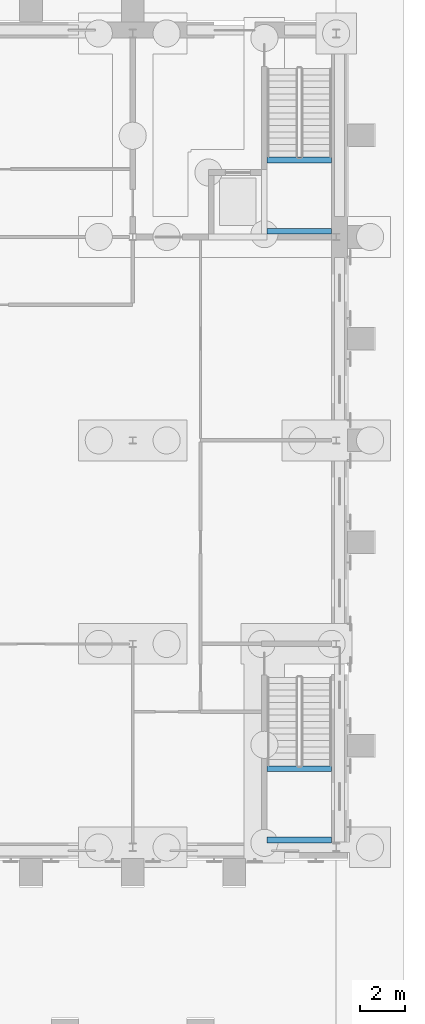
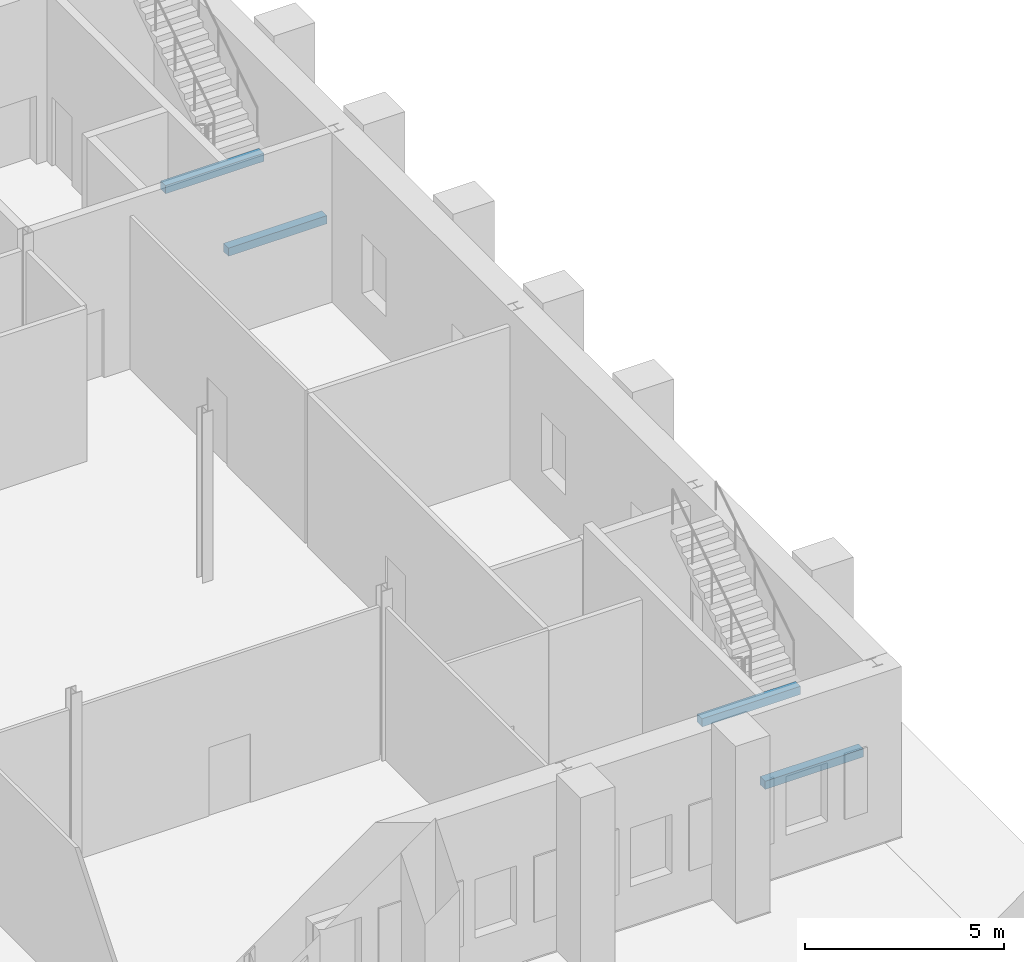
# One storey, part 66 of 168: 4 beams.
"""IFC4 building model written with IfcOpenShell, lengths in metres."""

from ifc_helpers import new_model, si_unit, direction, frame, origin, origin_2d, place, context, subcontext, project, spatial, rectangle, extrude, material, material_profile, profile_set, type_object, element, save


model = new_model("IFC4")

# Units and contexts
model_context = context("Model", 3, precision=1e-05, world=origin(), true_north=direction((0.0, 1.0)))
body_context = subcontext(model_context, "Body", "Model", "MODEL_VIEW")
ifc_project = project(units=[si_unit("LENGTHUNIT", "METRE"), si_unit("AREAUNIT", "SQUARE_METRE"), si_unit("VOLUMEUNIT", "CUBIC_METRE"), si_unit("PLANEANGLEUNIT", "RADIAN"), si_unit("MASSUNIT", "GRAM", prefix="KILO")], contexts=[model_context])

# Site, building, storey
site_placement = place(None, origin())
site = spatial("IfcSite", under=ifc_project, at=site_placement, CompositionType="ELEMENT")
building_placement = place(site_placement, origin())
building = spatial("IfcBuilding", under=site, at=building_placement, Name="Golden Quay Civic Hall", CompositionType="ELEMENT")
storey_placement = place(building_placement, origin())
storey = spatial("IfcBuildingStorey", under=building, at=storey_placement, Name="L00", CompositionType="ELEMENT", Elevation=0.0)

# Beams
ifc_material = material(Name="Concrete C35/45", Category="concrete")
ifc_material_profile = material_profile(ifc_material, rectangle(XDim=0.25, YDim=0.25, at=origin_2d()), Name="RC 250x250")
ifc_profile_set = profile_set([ifc_material_profile], Name="Concrete C35/45")
beam_type = type_object("IfcBeamType", Name="Reinforced concrete landing beam 250x250", PredefinedType="BEAM", material=ifc_profile_set)
for number, where, z_axis, x_axis, name in (
    (1, (167.949951171875, 93.405029296875, 2.375), (1.0, 0.0, 0.0), (0.0, 1.0, 0.0), "L00 LB-STE L00 far landing trimmer beam 1"),
    (2, (167.949951171875, 90.25, 2.375), (1.0, 0.0, 0.0), (0.0, 1.0, 0.0), "L00 LB-STE L00 far landing trimmer beam 2"),
    (3, (167.949951171875, 66.47998046875, 2.375), (1.0, 0.0, 0.0), (0.0, 1.0, 0.0), "L00 LB-STS L00 far landing trimmer beam 1"),
    (4, (167.949951171875, 63.324951171875, 2.375), (1.0, 0.0, 0.0), (0.0, 1.0, 0.0), "L00 LB-STS L00 far landing trimmer beam 2"),
):
    element("IfcBeam", number, at=place(storey_placement, frame(where, z_axis=z_axis, x_axis=x_axis)), inside=storey, type_object=beam_type, Name=name, PredefinedType="BEAM", context=body_context, shape_type="SweptSolid", body=[
        extrude(rectangle(XDim=0.25, YDim=0.25, at=origin_2d()), origin(), (0.0, 0.0, 1.0), 2.85009765625),
    ])

save(model, "model.ifc")
